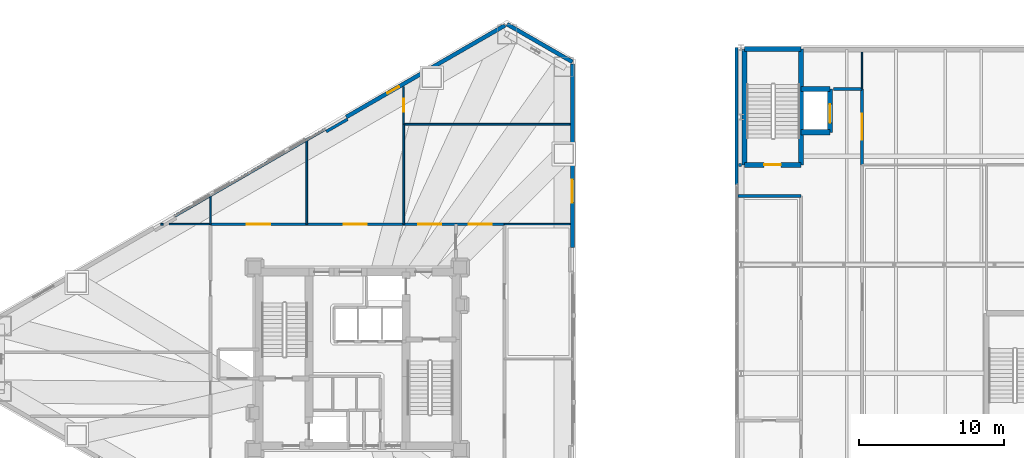
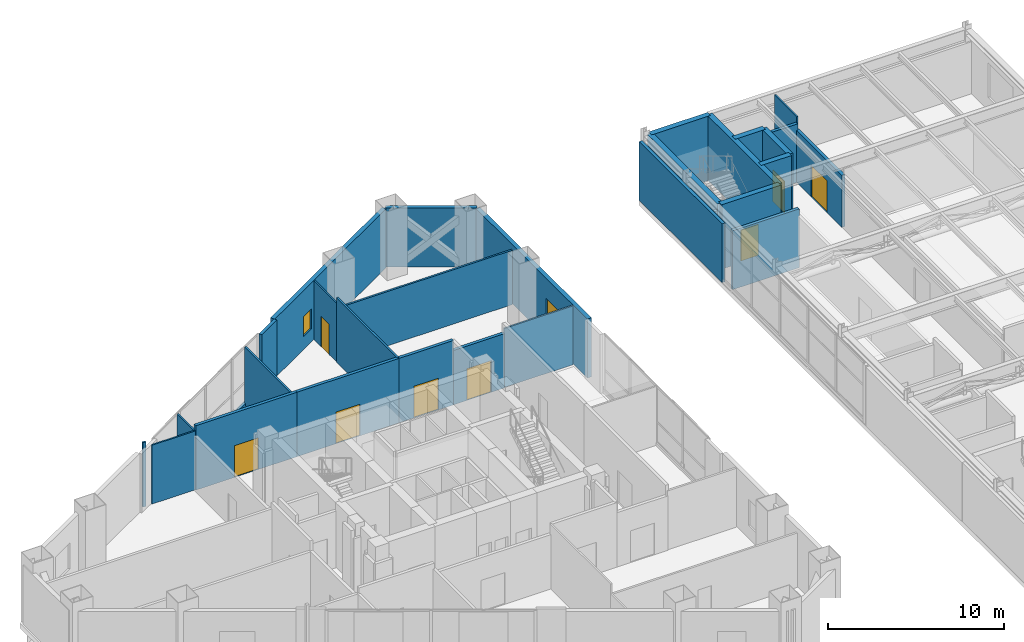
# One storey, part 25 of 29: 30 walls, 8 doors, 2 windows, 10 openings.
"""IFC4 building model written with IfcOpenShell, lengths in metres."""

from ifc_helpers import new_model, si_unit, direction, frame, frame_2d, origin, place, context, subcontext, project, spatial, rectangle, extrude, material, layer, layer_set, type_object, element, fill, save


model = new_model("IFC4")

# Units and contexts
model_context = context("Model", 3, precision=1e-05, world=origin(), true_north=direction((0.0, 1.0)))
body_context = subcontext(model_context, "Body", "Model", "MODEL_VIEW")
ifc_project = project(units=[si_unit("LENGTHUNIT", "METRE"), si_unit("AREAUNIT", "SQUARE_METRE"), si_unit("VOLUMEUNIT", "CUBIC_METRE"), si_unit("PLANEANGLEUNIT", "RADIAN"), si_unit("MASSUNIT", "GRAM", prefix="KILO")], contexts=[model_context])

# Site, building, storey
site_placement = place(None, origin())
site = spatial("IfcSite", under=ifc_project, at=site_placement, CompositionType="ELEMENT")
building_placement = place(site_placement, origin())
building = spatial("IfcBuilding", under=site, at=building_placement, Name="Mersakhor Tower and Convention Hall", CompositionType="ELEMENT")
storey_placement = place(building_placement, frame((0.0, 0.0, 9.60009765625)))
storey = spatial("IfcBuildingStorey", under=building, at=storey_placement, Name="L02", CompositionType="ELEMENT", Elevation=9.60009765625)

# Wall
ifc_material_1 = material(Name="Precast concrete C45/55", Category="concrete")
ifc_layer_1 = layer(ifc_material_1, 0.27490234375)
ifc_layer_set_1 = layer_set([ifc_layer_1], Name="Precast concrete C45/55")
wall_type_1 = type_object("IfcWallType", Name="WL-EXT-275", PredefinedType="SOLIDWALL", material=ifc_layer_set_1)
wall_1_placement = place(storey_placement, frame((39.3369140625, 49.865234375, 0.0), z_axis=(0.0, 0.0, 1.0), x_axis=(0.866043601342, -0.499968479581, 0.0)))
element("IfcWall", 1, at=wall_1_placement, inside=storey, type_object=wall_type_1, Name="L02 Chamfer Braced Spandrel Wall C1", PredefinedType="SOLIDWALL", context=body_context, shape_type="SweptSolid", body=[
    extrude(rectangle(XDim=5.211181640625, YDim=0.27490234375, at=frame_2d((2.60546875, 0.0))), origin(), (0.0, 0.0, 1.0), 4.099853515625),
])

# Wall, opening, window
wall_2_placement = place(storey_placement, frame((28.231689453125, 43.453857421875, 0.0), z_axis=(0.0, 0.0, 1.0), x_axis=(0.86603192154, 0.499988710747, 0.0)))
wall_2 = element("IfcWall", 2, at=wall_2_placement, inside=storey, type_object=wall_type_1, Name="L02 Exterior Facade Wall F1-B3", PredefinedType="SOLIDWALL", context=body_context, shape_type="SweptSolid", body=[
    extrude(rectangle(XDim=12.673095703125, YDim=0.27490234375, at=frame_2d((6.33642578125, 0.0))), origin(), (0.0, 0.0, 1.0), 4.099853515625),
])
opening_1_placement = place(wall_2_placement, frame((3.2958984375, 0.0, 0.89990234375)))
opening_1 = element("IfcOpeningElement", 3, at=opening_1_placement, cuts=wall_2, Name="Opening W-06", PredefinedType="OPENING", context=body_context, shape_type="SweptSolid", body=[
    extrude(rectangle(XDim=0.89990234375, YDim=1.39990234375, at=frame_2d((0.449951171875, 0.699951171875))), frame((0.0, 0.1474609375, 0.0), z_axis=(0.0, -1.0, 0.0), x_axis=(1.0, 0.0, 0.0)), (0.0, 0.0, 1.0), 0.294921875),
])
ifc_material_2 = material(Name="Dark solar low-E glazed aluminium window", Category="aluminium")
window_type_1 = type_object("IfcWindowType", Name="WN-STD-090x140", PartitioningType="SINGLE_PANEL", PredefinedType="WINDOW", material=ifc_material_2)
window_1_placement = place(opening_1_placement, origin())
window_1 = element("IfcWindow", 4, at=window_1_placement, inside=storey, type_object=window_type_1, Name="L02 Facade Punched Window F1-B3", OverallHeight=1.39990234375, OverallWidth=0.89990234375, PartitioningType="SINGLE_PANEL", PredefinedType="WINDOW", context=body_context, shape_type="SweptSolid", body=[
    extrude(rectangle(XDim=0.89990234375, YDim=1.39990234375, at=frame_2d((0.449951171875, 0.699951171875))), frame((0.0, 0.030029296875, 0.0), z_axis=(0.0, -1.0, 0.0), x_axis=(1.0, 0.0, 0.0)), (0.0, 0.0, 1.0), 0.06005859375),
])
fill(opening_1, window_1)

wall_3_placement = place(storey_placement, frame((43.85009765625, 47.109619140625, 0.0), z_axis=(0.0, 0.0, 1.0), x_axis=(0.0, -1.0, 0.0)))
wall_3 = element("IfcWall", 5, at=wall_3_placement, inside=storey, type_object=wall_type_1, Name="L02 Exterior Facade Wall F2-B1", PredefinedType="SOLIDWALL", context=body_context, shape_type="SweptSolid", body=[
    extrude(rectangle(XDim=12.673095703125, YDim=0.27490234375, at=frame_2d((6.33642578125, 0.0))), origin(), (0.0, 0.0, 1.0), 4.099853515625),
])
opening_2_placement = place(wall_3_placement, frame((7.972900390625, 0.0, 0.89990234375)))
opening_2 = element("IfcOpeningElement", 6, at=opening_2_placement, cuts=wall_3, Name="Opening W-07", PredefinedType="OPENING", context=body_context, shape_type="SweptSolid", body=[
    extrude(rectangle(XDim=1.60009765625, YDim=1.800048828125, at=frame_2d((0.800048828125, 0.89990234375))), frame((0.0, 0.1474609375, 0.0), z_axis=(0.0, -1.0, 0.0), x_axis=(1.0, 0.0, 0.0)), (0.0, 0.0, 1.0), 0.294921875),
])
ifc_material_3 = material(Name="Dark solar low-E glazed aluminium window", Category="aluminium")
window_type_2 = type_object("IfcWindowType", Name="WN-CLN-160x180", PartitioningType="SINGLE_PANEL", PredefinedType="WINDOW", material=ifc_material_3)
window_2_placement = place(opening_2_placement, origin())
window_2 = element("IfcWindow", 7, at=window_2_placement, inside=storey, type_object=window_type_2, Name="L02 Facade Punched Window F2-B1", OverallHeight=1.800048828125, OverallWidth=1.60009765625, PartitioningType="SINGLE_PANEL", PredefinedType="WINDOW", context=body_context, shape_type="SweptSolid", body=[
    extrude(rectangle(XDim=1.60009765625, YDim=1.800048828125, at=frame_2d((0.800048828125, 0.89990234375))), frame((0.0, 0.030029296875, 0.0), z_axis=(0.0, -1.0, 0.0), x_axis=(1.0, 0.0, 0.0)), (0.0, 0.0, 1.0), 0.06005859375),
])
fill(opening_2, window_2)

# Walls
ifc_material_4 = material(Name="Precast concrete C40/50", Category="concrete")
ifc_layer_2 = layer(ifc_material_4, 0.199951171875)
ifc_layer_set_2 = layer_set([ifc_layer_2], Name="Precast concrete C40/50")
wall_type_2 = type_object("IfcWallType", Name="WL-PAR-200", PredefinedType="PARAPET", material=ifc_layer_set_2)
wall_4_placement = place(storey_placement, frame((55.195068359375, 38.800048828125, 0.0), z_axis=(0.0, 0.0, 1.0), x_axis=(0.0, 1.0, 0.0)))
element("IfcWall", 8, at=wall_4_placement, inside=storey, type_object=wall_type_2, Name="Convention L02 Stair Core Facade Cladding WC2", PredefinedType="PARAPET", context=body_context, shape_type="SweptSolid", body=[
    extrude(rectangle(XDim=9.449951171875, YDim=0.199951171875, at=frame_2d((4.72509765625, 0.0))), origin(), (0.0, 0.0, 1.0), 4.08984375),
])
wall_5_placement = place(storey_placement, frame((16.390380859375, 36.6171875, 0.0), z_axis=(0.0, 0.0, 1.0), x_axis=(0.866027351828, 0.499996625875, 0.0)))
element("IfcWall", 9, at=wall_5_placement, inside=storey, type_object=wall_type_2, Name="L02 Curtain Wall Upstand Sill F1-B2", PredefinedType="PARAPET", context=body_context, shape_type="SweptSolid", body=[
    extrude(rectangle(XDim=11.97314453125, YDim=0.199951171875, at=frame_2d((5.986572265625, 0.0))), origin(), (0.0, 0.0, 1.0), 0.199951171875),
])
wall_6_placement = place(storey_placement, frame((26.849609375, 42.447998046875, 0.0), z_axis=(0.0, 0.0, 1.0), x_axis=(0.86605165483, 0.499954529098, 0.0)))
element("IfcWall", 10, at=wall_6_placement, inside=storey, type_object=wall_type_2, Name="L02 Column Pier Cladding Wall F1-C2", PredefinedType="PARAPET", context=body_context, shape_type="SweptSolid", body=[
    extrude(rectangle(XDim=1.699951171875, YDim=0.199951171875, at=frame_2d((0.85009765625, 0.0))), origin(), (0.0, 0.0, 1.0), 4.099853515625),
])
ifc_material_5 = material(Name="Lightweight gypsum partition", Category="other")
ifc_layer_3 = layer(ifc_material_5, 0.10009765625)
ifc_layer_set_3 = layer_set([ifc_layer_3], Name="Lightweight gypsum partition")
wall_type_3 = type_object("IfcWallType", Name="WL-PRT-100", PredefinedType="PARTITIONING", material=ifc_layer_set_3)
wall_7_placement = place(storey_placement, frame((63.85009765625, 45.39990234375, 0.0), z_axis=(0.0, 0.0, 1.0), x_axis=(0.0, 1.0, 0.0)))
element("IfcWall", 11, at=wall_7_placement, inside=storey, type_object=wall_type_3, Name="L02 Interior Partition Wall P-090", PredefinedType="PARTITIONING", context=body_context, shape_type="SweptSolid", body=[
    extrude(rectangle(XDim=2.526123046875, YDim=0.10009765625, at=frame_2d((1.26318359375, 0.0))), origin(), (0.0, 0.0, 1.0), 4.47998046875),
])
wall_8_placement = place(storey_placement, frame((18.85009765625, 36.050048828125, 0.0), z_axis=(0.0, 0.0, 1.0), x_axis=(0.0, 1.0, 0.0)))
element("IfcWall", 12, at=wall_8_placement, inside=storey, type_object=wall_type_3, Name="L02 Interior Partition Wall P-092", PredefinedType="PARTITIONING", context=body_context, shape_type="SweptSolid", body=[
    extrude(rectangle(XDim=1.94091796875, YDim=0.10009765625, at=frame_2d((0.970458984375, 0.0))), origin(), (0.0, 0.0, 1.0), 4.09033203125),
])

# Wall, opening, door
wall_9_placement = place(storey_placement, frame((32.199951171875, 45.558349609375, 0.0), z_axis=(0.0, 0.0, 1.0), x_axis=(0.0, -1.0, 0.0)))
wall_9 = element("IfcWall", 13, at=wall_9_placement, inside=storey, type_object=wall_type_3, Name="L02 Interior Partition Wall P-094", PredefinedType="PARTITIONING", context=body_context, shape_type="SweptSolid", body=[
    extrude(rectangle(XDim=2.598388671875, YDim=0.10009765625, at=frame_2d((1.29931640625, 0.0))), origin(), (0.0, 0.0, 1.0), 4.09033203125),
])
opening_3_placement = place(wall_9_placement, frame((0.84912109375, 0.0, 0.0)))
opening_3 = element("IfcOpeningElement", 14, at=opening_3_placement, cuts=wall_9, Name="Opening WD-01", PredefinedType="OPENING", context=body_context, shape_type="SweptSolid", body=[
    extrude(rectangle(XDim=0.89990234375, YDim=2.10009765625, at=frame_2d((0.449951171875, 1.050048828125))), frame((0.0, 0.06005859375, 0.0), z_axis=(0.0, -1.0, 0.0), x_axis=(1.0, 0.0, 0.0)), (0.0, 0.0, 1.0), 0.1201171875),
])
ifc_material_6 = material(Name="Solid-core hardwood leaf in painted steel frame", Category="steel")
door_type_1 = type_object("IfcDoorType", Name="DR-INT-WET-090x210", OperationType="NOTDEFINED", PredefinedType="DOOR", material=ifc_material_6)
door_1_placement = place(opening_3_placement, origin())
door_1 = element("IfcDoor", 15, at=door_1_placement, inside=storey, type_object=door_type_1, Name="L02 Pediatric Consultation Room 2 to Dental Treatment Room 1 Annex Door", OperationType="SINGLE_SWING_LEFT", OverallHeight=2.10009765625, OverallWidth=0.89990234375, PredefinedType="DOOR", context=body_context, shape_type="SweptSolid", body=[
    extrude(rectangle(XDim=0.89990234375, YDim=2.10009765625, at=frame_2d((0.449951171875, 1.050048828125))), frame((0.0, 0.02490234375, 0.0), z_axis=(0.0, -1.0, 0.0), x_axis=(1.0, 0.0, 0.0)), (0.0, 0.0, 1.0), 0.050048828125),
])
fill(opening_3, door_1)

# Walls
wall_10_placement = place(storey_placement, frame((43.6884765625, 36.050048828125, 0.0), z_axis=(0.0, 0.0, 1.0), x_axis=(-1.0, 0.0, 0.0)))
element("IfcWall", 16, at=wall_10_placement, inside=storey, type_object=wall_type_3, Name="L02 Interior Partition Wall P-096", PredefinedType="PARTITIONING", context=body_context, shape_type="SweptSolid", body=[
    extrude(rectangle(XDim=4.53857421875, YDim=0.10009765625, at=frame_2d((2.269287109375, 0.0))), origin(), (0.0, 0.0, 1.0), 4.09033203125),
])
wall_11_placement = place(storey_placement, frame((15.993408203125, 36.050048828125, 0.0), z_axis=(0.0, 0.0, 1.0), x_axis=(1.0, 0.0, 0.0)))
element("IfcWall", 17, at=wall_11_placement, inside=storey, type_object=wall_type_3, Name="L02 Interior Partition Wall P-104", PredefinedType="PARTITIONING", context=body_context, shape_type="SweptSolid", body=[
    extrude(rectangle(XDim=2.856689453125, YDim=0.10009765625, at=frame_2d((1.42822265625, 0.0))), origin(), (0.0, 0.0, 1.0), 4.09033203125),
])
ifc_material_7 = material(Name="Gypsum board acoustic partition", Category="other")
ifc_layer_4 = layer(ifc_material_7, 0.125)
ifc_layer_set_4 = layer_set([ifc_layer_4], Name="Gypsum board acoustic partition")
wall_type_4 = type_object("IfcWallType", Name="WL-PRT-125", PredefinedType="PARTITIONING", material=ifc_layer_set_4)
wall_12_placement = place(storey_placement, frame((25.5, 41.830322265625, 0.0), z_axis=(0.0, 0.0, 1.0), x_axis=(0.0, -1.0, 0.0)))
element("IfcWall", 18, at=wall_12_placement, inside=storey, type_object=wall_type_4, Name="L02 Interior Partition Wall P-093", PredefinedType="PARTITIONING", context=body_context, shape_type="SweptSolid", body=[
    extrude(rectangle(XDim=5.7802734375, YDim=0.125, at=frame_2d((2.89013671875, 0.0))), origin(), (0.0, 0.0, 1.0), 4.09033203125),
])
wall_13_placement = place(storey_placement, frame((32.199951171875, 42.9599609375, 0.0), z_axis=(0.0, 0.0, 1.0), x_axis=(0.0, -1.0, 0.0)))
element("IfcWall", 19, at=wall_13_placement, inside=storey, type_object=wall_type_4, Name="L02 Interior Partition Wall P-095", PredefinedType="PARTITIONING", context=body_context, shape_type="SweptSolid", body=[
    extrude(rectangle(XDim=6.909912109375, YDim=0.125, at=frame_2d((3.455078125, 0.0))), origin(), (0.0, 0.0, 1.0), 4.47998046875),
])
wall_14_placement = place(storey_placement, frame((32.199951171875, 42.9599609375, 0.0), z_axis=(0.0, 0.0, 1.0), x_axis=(1.0, 0.0, 0.0)))
element("IfcWall", 20, at=wall_14_placement, inside=storey, type_object=wall_type_4, Name="L02 Interior Partition Wall P-097", PredefinedType="PARTITIONING", context=body_context, shape_type="SweptSolid", body=[
    extrude(rectangle(XDim=11.488525390625, YDim=0.125, at=frame_2d((5.744140625, 0.0))), origin(), (0.0, 0.0, 1.0), 3.77734375),
])
wall_15_placement = place(storey_placement, frame((15.407958984375, 36.050048828125, 0.0), z_axis=(0.0, 0.0, 1.0), x_axis=(1.0, 0.0, 0.0)))
element("IfcWall", 21, at=wall_15_placement, inside=storey, type_object=wall_type_4, Name="L02 Interior Partition Wall P-103", PredefinedType="PARTITIONING", context=body_context, shape_type="SweptSolid", body=[
    extrude(rectangle(XDim=0.199951171875, YDim=0.125, at=frame_2d((0.10009765625, 0.0))), origin(), (0.0, 0.0, 1.0), 4.47998046875),
])
ifc_material_8 = material(Name="Acoustic concrete blockwork and gypsum board", Category="masonry")
ifc_layer_5 = layer(ifc_material_8, 0.199951171875)
ifc_layer_set_5 = layer_set([ifc_layer_5], Name="Acoustic concrete blockwork and gypsum board")
wall_type_5 = type_object("IfcWallType", Name="WL-PRT-200", PredefinedType="PARTITIONING", material=ifc_layer_set_5)
wall_16_placement = place(storey_placement, frame((59.64990234375, 38.0, 0.0), z_axis=(0.0, 0.0, 1.0), x_axis=(-1.0, 0.0, 0.0)))
element("IfcWall", 22, at=wall_16_placement, inside=storey, type_object=wall_type_5, Name="L02 Interior Partition Wall P-025", PredefinedType="PARTITIONING", context=body_context, shape_type="SweptSolid", body=[
    extrude(rectangle(XDim=4.37890625, YDim=0.199951171875, at=frame_2d((2.189453125, 0.0))), origin(), (0.0, 0.0, 1.0), 4.08984375),
])
wall_17_placement = place(storey_placement, frame((55.319091796875, 40.14990234375, 0.0), z_axis=(0.0, 0.0, 1.0), x_axis=(1.0, 0.0, 0.0)))
element("IfcWall", 23, at=wall_17_placement, inside=storey, type_object=wall_type_5, Name="L02 Interior Partition Wall P-026", PredefinedType="PARTITIONING", context=body_context, shape_type="SweptSolid", body=[
    extrude(rectangle(XDim=0.205810546875, YDim=0.199951171875, at=frame_2d((0.10302734375, 0.0))), origin(), (0.0, 0.0, 1.0), 4.08984375),
])
wall_18_placement = place(storey_placement, frame((61.875, 45.39990234375, 0.0), z_axis=(0.0, 0.0, 1.0), x_axis=(1.0, 0.0, 0.0)))
element("IfcWall", 24, at=wall_18_placement, inside=storey, type_object=wall_type_5, Name="L02 Interior Partition Wall P-027", PredefinedType="PARTITIONING", context=body_context, shape_type="SweptSolid", body=[
    extrude(rectangle(XDim=1.97509765625, YDim=0.199951171875, at=frame_2d((0.987548828125, 0.0))), origin(), (0.0, 0.0, 1.0), 4.055419921875),
])

# Wall, opening, door
wall_19_placement = place(storey_placement, frame((63.85009765625, 45.39990234375, 0.0), z_axis=(0.0, 0.0, 1.0), x_axis=(0.0, -1.0, 0.0)))
wall_19 = element("IfcWall", 25, at=wall_19_placement, inside=storey, type_object=wall_type_5, Name="L02 Interior Partition Wall P-028", PredefinedType="PARTITIONING", context=body_context, shape_type="SweptSolid", body=[
    extrude(rectangle(XDim=5.25, YDim=0.199951171875, at=frame_2d((2.625, 0.0))), origin(), (0.0, 0.0, 1.0), 3.614013671875),
])
opening_4_placement = place(wall_19_placement, frame((1.72509765625, 0.0, 0.0)))
opening_4 = element("IfcOpeningElement", 26, at=opening_4_placement, cuts=wall_19, Name="Opening HD-01", PredefinedType="OPENING", context=body_context, shape_type="SweptSolid", body=[
    extrude(rectangle(XDim=1.800048828125, YDim=2.199951171875, at=frame_2d((0.89990234375, 1.10009765625))), frame((0.0, 0.10986328125, 0.0), z_axis=(0.0, -1.0, 0.0), x_axis=(1.0, 0.0, 0.0)), (0.0, 0.0, 1.0), 0.219970703125),
])
ifc_material_9 = material(Name="Fire-rated hardwood leaf and painted steel frame", Category="steel")
door_type_2 = type_object("IfcDoorType", Name="DR-INT-HALL-180x220", OperationType="NOTDEFINED", PredefinedType="DOOR", material=ifc_material_9)
door_2_placement = place(opening_4_placement, origin())
door_2 = element("IfcDoor", 27, at=door_2_placement, inside=storey, type_object=door_type_2, Name="L02 Convention Hall Concourse Corridor to Waterfront Banquet Dining Hall Door", OperationType="DOUBLE_DOOR_SINGLE_SWING", OverallHeight=2.199951171875, OverallWidth=1.800048828125, PredefinedType="DOOR", context=body_context, shape_type="SweptSolid", body=[
    extrude(rectangle(XDim=1.800048828125, YDim=2.199951171875, at=frame_2d((0.89990234375, 1.10009765625))), frame((0.0, 0.02490234375, 0.0), z_axis=(0.0, -1.0, 0.0), x_axis=(1.0, 0.0, 0.0)), (0.0, 0.0, 1.0), 0.050048828125),
])
fill(opening_4, door_2)

wall_20_placement = place(storey_placement, frame((18.85009765625, 36.050048828125, 0.0), z_axis=(0.0, 0.0, 1.0), x_axis=(1.0, 0.0, 0.0)))
wall_20 = element("IfcWall", 28, at=wall_20_placement, inside=storey, type_object=wall_type_5, Name="L02 Interior Partition Wall P-049", PredefinedType="PARTITIONING", context=body_context, shape_type="SweptSolid", body=[
    extrude(rectangle(XDim=6.64990234375, YDim=0.199951171875, at=frame_2d((3.324951171875, 0.0))), origin(), (0.0, 0.0, 1.0), 4.47998046875),
])
opening_5_placement = place(wall_20_placement, frame((2.52490234375, 0.0, 0.0)))
opening_5 = element("IfcOpeningElement", 29, at=opening_5_placement, cuts=wall_20, Name="Opening CD-01", PredefinedType="OPENING", context=body_context, shape_type="SweptSolid", body=[
    extrude(rectangle(XDim=1.60009765625, YDim=2.199951171875, at=frame_2d((0.800048828125, 1.10009765625))), frame((0.0, 0.10986328125, 0.0), z_axis=(0.0, -1.0, 0.0), x_axis=(1.0, 0.0, 0.0)), (0.0, 0.0, 1.0), 0.219970703125),
])
ifc_material_10 = material(Name="Fire-rated hardwood leaf and painted steel frame", Category="steel")
door_type_3 = type_object("IfcDoorType", Name="DR-INT-COR-160x220", OperationType="NOTDEFINED", PredefinedType="DOOR", material=ifc_material_10)
door_3_placement = place(opening_5_placement, origin())
door_3 = element("IfcDoor", 30, at=door_3_placement, inside=storey, type_object=door_type_3, Name="L02 L02 Primary Healthcare Clinical Corridor to General Medical Consultation Room 1 Door", OperationType="DOUBLE_DOOR_SINGLE_SWING", OverallHeight=2.199951171875, OverallWidth=1.60009765625, PredefinedType="DOOR", context=body_context, shape_type="SweptSolid", body=[
    extrude(rectangle(XDim=1.60009765625, YDim=2.199951171875, at=frame_2d((0.800048828125, 1.10009765625))), frame((0.0, 0.02490234375, 0.0), z_axis=(0.0, -1.0, 0.0), x_axis=(1.0, 0.0, 0.0)), (0.0, 0.0, 1.0), 0.050048828125),
])
fill(opening_5, door_3)

wall_21_placement = place(storey_placement, frame((25.5, 36.050048828125, 0.0), z_axis=(0.0, 0.0, 1.0), x_axis=(1.0, 0.0, 0.0)))
wall_21 = element("IfcWall", 31, at=wall_21_placement, inside=storey, type_object=wall_type_5, Name="L02 Interior Partition Wall P-050", PredefinedType="PARTITIONING", context=body_context, shape_type="SweptSolid", body=[
    extrude(rectangle(XDim=6.699951171875, YDim=0.199951171875, at=frame_2d((3.35009765625, 0.0))), origin(), (0.0, 0.0, 1.0), 4.47998046875),
])
opening_6_placement = place(wall_21_placement, frame((2.550048828125, 0.0, 0.0)))
opening_6 = element("IfcOpeningElement", 32, at=opening_6_placement, cuts=wall_21, Name="Opening CD-01", PredefinedType="OPENING", context=body_context, shape_type="SweptSolid", body=[
    extrude(rectangle(XDim=1.60009765625, YDim=2.199951171875, at=frame_2d((0.800048828125, 1.10009765625))), frame((0.0, 0.10986328125, 0.0), z_axis=(0.0, -1.0, 0.0), x_axis=(1.0, 0.0, 0.0)), (0.0, 0.0, 1.0), 0.219970703125),
])
door_4_placement = place(opening_6_placement, origin())
door_4 = element("IfcDoor", 33, at=door_4_placement, inside=storey, type_object=door_type_3, Name="L02 L02 Primary Healthcare Clinical Corridor to Pediatric Consultation Room 2 Door", OperationType="DOUBLE_DOOR_SINGLE_SWING", OverallHeight=2.199951171875, OverallWidth=1.60009765625, PredefinedType="DOOR", context=body_context, shape_type="SweptSolid", body=[
    extrude(rectangle(XDim=1.60009765625, YDim=2.199951171875, at=frame_2d((0.800048828125, 1.10009765625))), frame((0.0, 0.02490234375, 0.0), z_axis=(0.0, -1.0, 0.0), x_axis=(1.0, 0.0, 0.0)), (0.0, 0.0, 1.0), 0.050048828125),
])
fill(opening_6, door_4)

wall_22_placement = place(storey_placement, frame((32.199951171875, 36.050048828125, 0.0), z_axis=(0.0, 0.0, 1.0), x_axis=(1.0, 0.0, 0.0)))
wall_22 = element("IfcWall", 34, at=wall_22_placement, inside=storey, type_object=wall_type_5, Name="L02 Interior Partition Wall P-051", PredefinedType="PARTITIONING", context=body_context, shape_type="SweptSolid", body=[
    extrude(rectangle(XDim=3.60009765625, YDim=0.199951171875, at=frame_2d((1.800048828125, 0.0))), origin(), (0.0, 0.0, 1.0), 4.47998046875),
])
opening_7_placement = place(wall_22_placement, frame((1.0, 0.0, 0.0)))
opening_7 = element("IfcOpeningElement", 35, at=opening_7_placement, cuts=wall_22, Name="Opening CD-01", PredefinedType="OPENING", context=body_context, shape_type="SweptSolid", body=[
    extrude(rectangle(XDim=1.60009765625, YDim=2.199951171875, at=frame_2d((0.800048828125, 1.10009765625))), frame((0.0, 0.10986328125, 0.0), z_axis=(0.0, -1.0, 0.0), x_axis=(1.0, 0.0, 0.0)), (0.0, 0.0, 1.0), 0.219970703125),
])
door_5_placement = place(opening_7_placement, origin())
door_5 = element("IfcDoor", 36, at=door_5_placement, inside=storey, type_object=door_type_3, Name="L02 L02 Primary Healthcare Clinical Corridor to Dental Treatment Room 1 Door", OperationType="DOUBLE_DOOR_SINGLE_SWING", OverallHeight=2.199951171875, OverallWidth=1.60009765625, PredefinedType="DOOR", context=body_context, shape_type="SweptSolid", body=[
    extrude(rectangle(XDim=1.60009765625, YDim=2.199951171875, at=frame_2d((0.800048828125, 1.10009765625))), frame((0.0, 0.02490234375, 0.0), z_axis=(0.0, -1.0, 0.0), x_axis=(1.0, 0.0, 0.0)), (0.0, 0.0, 1.0), 0.050048828125),
])
fill(opening_7, door_5)

wall_23_placement = place(storey_placement, frame((35.800048828125, 36.050048828125, 0.0), z_axis=(0.0, 0.0, 1.0), x_axis=(1.0, 0.0, 0.0)))
wall_23 = element("IfcWall", 37, at=wall_23_placement, inside=storey, type_object=wall_type_5, Name="L02 Interior Partition Wall P-069", PredefinedType="PARTITIONING", context=body_context, shape_type="SweptSolid", body=[
    extrude(rectangle(XDim=3.349853515625, YDim=0.199951171875, at=frame_2d((1.6748046875, 0.0))), origin(), (0.0, 0.0, 1.0), 3.77734375),
])
opening_8_placement = place(wall_23_placement, frame((0.875, 0.0, 0.0)))
opening_8 = element("IfcOpeningElement", 38, at=opening_8_placement, cuts=wall_23, Name="Opening CD-01", PredefinedType="OPENING", context=body_context, shape_type="SweptSolid", body=[
    extrude(rectangle(XDim=1.60009765625, YDim=2.199951171875, at=frame_2d((0.800048828125, 1.10009765625))), frame((0.0, 0.10986328125, 0.0), z_axis=(0.0, -1.0, 0.0), x_axis=(1.0, 0.0, 0.0)), (0.0, 0.0, 1.0), 0.219970703125),
])
door_6_placement = place(opening_8_placement, origin())
door_6 = element("IfcDoor", 39, at=door_6_placement, inside=storey, type_object=door_type_3, Name="L02 L02 Primary Healthcare Clinical East Corridor to Dental Treatment Room 1 Door", OperationType="DOUBLE_DOOR_SINGLE_SWING", OverallHeight=2.199951171875, OverallWidth=1.60009765625, PredefinedType="DOOR", context=body_context, shape_type="SweptSolid", body=[
    extrude(rectangle(XDim=1.60009765625, YDim=2.199951171875, at=frame_2d((0.800048828125, 1.10009765625))), frame((0.0, 0.02490234375, 0.0), z_axis=(0.0, -1.0, 0.0), x_axis=(1.0, 0.0, 0.0)), (0.0, 0.0, 1.0), 0.050048828125),
])
fill(opening_8, door_6)

ifc_material_11 = material(Name="Concrete C50/60", Category="concrete")
ifc_layer_6 = layer(ifc_material_11, 0.35009765625)
ifc_layer_set_6 = layer_set([ifc_layer_6], Name="Concrete C50/60")
wall_type_6 = type_object("IfcWallType", Name="WL-SHR-350", PredefinedType="SHEAR", material=ifc_layer_set_6)
wall_24_placement = place(storey_placement, frame((61.64990234375, 42.39990234375, 0.0), z_axis=(0.0, 0.0, 1.0), x_axis=(0.0, 1.0, 0.0)))
wall_24 = element("IfcWall", 40, at=wall_24_placement, inside=storey, type_object=wall_type_6, Name="L02 CVL2 Shaft Front Wall", PredefinedType="SHEAR", context=body_context, shape_type="SweptSolid", body=[
    extrude(rectangle(XDim=3.0, YDim=0.35009765625, at=frame_2d((1.5, 0.0))), origin(), (0.0, 0.0, 1.0), 4.47998046875),
])
opening_9_placement = place(wall_24_placement, frame((0.64990234375, 0.0, 0.0)))
opening_9 = element("IfcOpeningElement", 41, at=opening_9_placement, cuts=wall_24, Name="Opening LD-CVL2", PredefinedType="OPENING", context=body_context, shape_type="SweptSolid", body=[
    extrude(rectangle(XDim=1.300048828125, YDim=2.199951171875, at=frame_2d((0.64990234375, 1.10009765625))), frame((0.0, 0.18505859375, 0.0), z_axis=(0.0, -1.0, 0.0), x_axis=(1.0, 0.0, 0.0)), (0.0, 0.0, 1.0), 0.3701171875),
])
ifc_material_12 = material(Name="Fire-rated brushed stainless steel sliding landing door", Category="steel")
door_type_4 = type_object("IfcDoorType", Name="DR-LIFT-SLD-130x220", OperationType="NOTDEFINED", PredefinedType="DOOR", material=ifc_material_12)
door_7_placement = place(opening_9_placement, origin())
door_7 = element("IfcDoor", 42, at=door_7_placement, inside=storey, type_object=door_type_4, Name="L02 Convention Lift Landing Door LD-CVL2", OperationType="SLIDING_TO_LEFT", OverallHeight=2.199951171875, OverallWidth=1.300048828125, PredefinedType="DOOR", context=body_context, shape_type="SweptSolid", body=[
    extrude(rectangle(XDim=1.300048828125, YDim=2.199951171875, at=frame_2d((0.64990234375, 1.10009765625))), frame((0.0, 0.02490234375, 0.0), z_axis=(0.0, -1.0, 0.0), x_axis=(1.0, 0.0, 0.0)), (0.0, 0.0, 1.0), 0.050048828125),
])
fill(opening_9, door_7)

# Walls
for number, where, z_axis, x_axis, name in (
    (43, (59.64990234375, 45.39990234375, 0.0), (0.0, 0.0, 1.0), (1.0, 0.0, 0.0), "L02 CVL2 Shaft North Wall"),
    (44, (59.64990234375, 42.39990234375, 0.0), (0.0, 0.0, 1.0), (1.0, 0.0, 0.0), "L02 CVL2 Shaft South Wall"),
):
    element("IfcWall", number, at=place(storey_placement, frame(where, z_axis=z_axis, x_axis=x_axis)), inside=storey, type_object=wall_type_6, Name=name, PredefinedType="SHEAR", context=body_context, shape_type="SweptSolid", body=[
        extrude(rectangle(XDim=2.0, YDim=0.35009765625, at=frame_2d((1.0, 0.0))), origin(), (0.0, 0.0, 1.0), 4.47998046875),
    ])
for number, where, z_axis, x_axis, name in (
    (45, (59.64990234375, 48.14990234375, 0.0), (0.0, 0.0, 1.0), (0.0, -1.0, 0.0), "L02 CHST2 East Shear Wall"),
    (46, (55.75, 40.14990234375, 0.0), (0.0, 0.0, 1.0), (0.0, 1.0, 0.0), "L02 CHST2 West Shear Wall"),
):
    element("IfcWall", number, at=place(storey_placement, frame(where, z_axis=z_axis, x_axis=x_axis)), inside=storey, type_object=wall_type_6, Name=name, PredefinedType="SHEAR", context=body_context, shape_type="SweptSolid", body=[
        extrude(rectangle(XDim=8.0, YDim=0.35009765625, at=frame_2d((4.0, 0.0))), origin(), (0.0, 0.0, 1.0), 4.47998046875),
    ])
wall_25_placement = place(storey_placement, frame((55.75, 48.14990234375, 0.0), z_axis=(0.0, 0.0, 1.0), x_axis=(1.0, 0.0, 0.0)))
element("IfcWall", 47, at=wall_25_placement, inside=storey, type_object=wall_type_6, Name="L02 CHST2 North Shear Wall", PredefinedType="SHEAR", context=body_context, shape_type="SweptSolid", body=[
    extrude(rectangle(XDim=3.89990234375, YDim=0.35009765625, at=frame_2d((1.949951171875, 0.0))), origin(), (0.0, 0.0, 1.0), 4.47998046875),
])

# Wall, opening, door
wall_26_placement = place(storey_placement, frame((55.75, 40.14990234375, 0.0), z_axis=(0.0, 0.0, 1.0), x_axis=(1.0, 0.0, 0.0)))
wall_26 = element("IfcWall", 48, at=wall_26_placement, inside=storey, type_object=wall_type_6, Name="L02 CHST2 South Shear Wall", PredefinedType="SHEAR", context=body_context, shape_type="SweptSolid", body=[
    extrude(rectangle(XDim=3.89990234375, YDim=0.35009765625, at=frame_2d((1.949951171875, 0.0))), origin(), (0.0, 0.0, 1.0), 4.47998046875),
])
opening_10_placement = place(wall_26_placement, frame((1.35009765625, 0.0, 0.0)))
opening_10 = element("IfcOpeningElement", 49, at=opening_10_placement, cuts=wall_26, Name="Opening SD-01", PredefinedType="OPENING", context=body_context, shape_type="SweptSolid", body=[
    extrude(rectangle(XDim=1.14990234375, YDim=2.14990234375, at=frame_2d((0.574951171875, 1.074951171875))), frame((0.0, 0.18505859375, 0.0), z_axis=(0.0, -1.0, 0.0), x_axis=(1.0, 0.0, 0.0)), (0.0, 0.0, 1.0), 0.3701171875),
])
ifc_material_13 = material(Name="Fire-rated hardwood leaf and painted steel frame", Category="steel")
door_type_5 = type_object("IfcDoorType", Name="DR-INT-STAIR-115x215", OperationType="NOTDEFINED", PredefinedType="DOOR", material=ifc_material_13)
door_8_placement = place(opening_10_placement, origin())
door_8 = element("IfcDoor", 50, at=door_8_placement, inside=storey, type_object=door_type_5, Name="L02 Convention Stair CH-ST2 Door", OperationType="SINGLE_SWING_RIGHT", OverallHeight=2.14990234375, OverallWidth=1.14990234375, PredefinedType="DOOR", context=body_context, shape_type="SweptSolid", body=[
    extrude(rectangle(XDim=1.14990234375, YDim=2.14990234375, at=frame_2d((0.574951171875, 1.074951171875))), frame((0.0, 0.02490234375, 0.0), z_axis=(0.0, -1.0, 0.0), x_axis=(1.0, 0.0, 0.0)), (0.0, 0.0, 1.0), 0.050048828125),
])
fill(opening_10, door_8)

save(model, "model.ifc")
